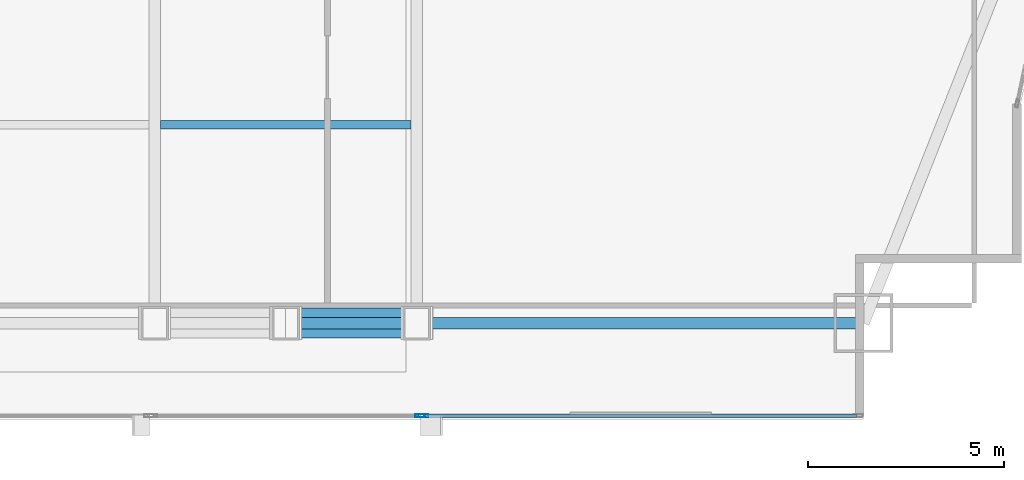
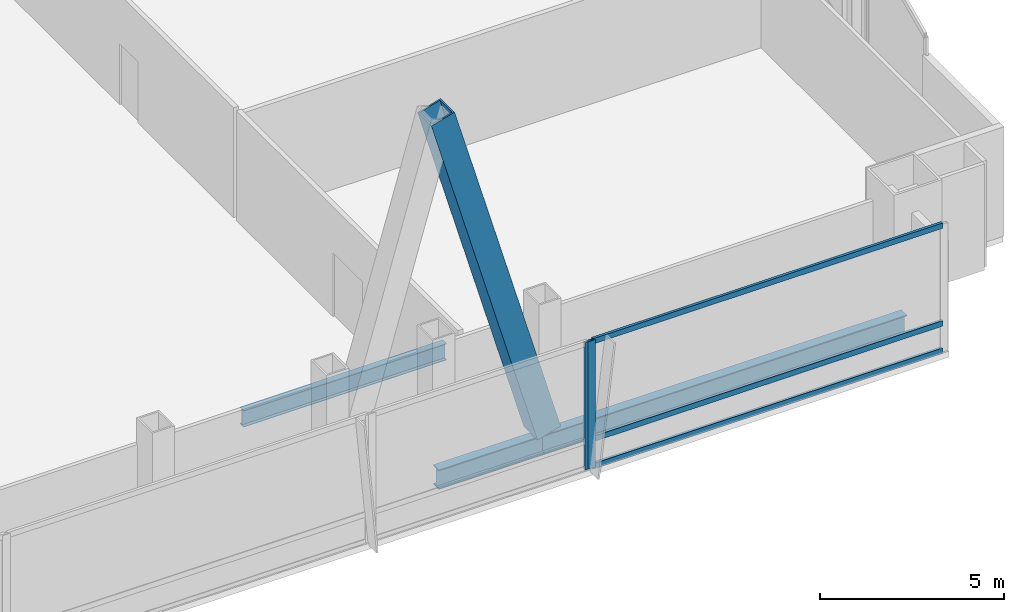
# One storey, part 16 of 32: 6 members, 3 beams, 2 elements without a shape of their own.
"""IFC4 building model written with IfcOpenShell, lengths in metres."""

from ifc_helpers import new_model, si_unit, direction, frame, origin, origin_2d, place, context, subcontext, project, spatial, hollow_rectangle, i_section, extrude, material, material_profile, profile_set, type_object, element, aggregate, save


model = new_model("IFC4")

# Units and contexts
model_context = context("Model", 3, precision=1e-05, world=origin(), true_north=direction((0.0, 1.0)))
body_context = subcontext(model_context, "Body", "Model", "MODEL_VIEW")
ifc_project = project(units=[si_unit("LENGTHUNIT", "METRE"), si_unit("AREAUNIT", "SQUARE_METRE"), si_unit("VOLUMEUNIT", "CUBIC_METRE"), si_unit("PLANEANGLEUNIT", "RADIAN"), si_unit("MASSUNIT", "GRAM", prefix="KILO")], contexts=[model_context])

# Site, building, storey
site_placement = place(None, origin())
site = spatial("IfcSite", under=ifc_project, at=site_placement, CompositionType="ELEMENT")
building_placement = place(site_placement, origin())
building = spatial("IfcBuilding", under=site, at=building_placement, Name="Khoronbel Lancet Exchange", CompositionType="ELEMENT")
storey_placement = place(building_placement, frame((0.0, 0.0, 106.60009765625)))
storey = spatial("IfcBuildingStorey", under=building, at=storey_placement, Name="L25", CompositionType="ELEMENT", Elevation=106.60009765625)

# Beams
ifc_material_1 = material(Name="Steel S355", Category="steel")
ifc_material_profile_1 = material_profile(ifc_material_1, i_section(OverallWidth=0.2099609375, OverallDepth=0.550048828125, WebThickness=0.010986328125, FlangeThickness=0.01708984375, at=origin_2d()), Name="IPE 550")
ifc_profile_set_1 = profile_set([ifc_material_profile_1], Name="Steel S355")
beam_type_1 = type_object("IfcBeamType", Name="BM-BJ2", PredefinedType="JOIST", material=ifc_profile_set_1)
beam_1_placement = place(storey_placement, frame((48.14990234375, 15.199951171875, -0.47509765625), z_axis=(1.0, 0.0, 0.0), x_axis=(0.0, 1.0, 0.0)))
element("IfcBeam", 1, at=beam_1_placement, inside=storey, type_object=beam_type_1, Name="Level L25 secondary composite joist J05", PredefinedType="JOIST", context=body_context, shape_type="SweptSolid", body=[
    extrude(i_section(OverallWidth=0.2099609375, OverallDepth=0.550048828125, WebThickness=0.010986328125, FlangeThickness=0.01708984375, at=origin_2d()), origin(), (0.0, 0.0, 1.0), 6.375),
])
ifc_material_profile_2 = material_profile(ifc_material_1, i_section(OverallWidth=0.300048828125, OverallDepth=0.64990234375, WebThickness=0.01611328125, FlangeThickness=0.031005859375, at=origin_2d()), Name="HEB 650")
ifc_profile_set_2 = profile_set([ifc_material_profile_2], Name="Steel S355")
beam_type_2 = type_object("IfcBeamType", Name="BM-BSP1", PredefinedType="SPANDREL", material=ifc_profile_set_2)
beam_2_placement = place(storey_placement, frame((51.33740234375, 10.14990234375, -0.525146484375), z_axis=(1.0, 0.0, 0.0), x_axis=(0.0, 1.0, 0.0)))
element("IfcBeam", 2, at=beam_2_placement, inside=storey, type_object=beam_type_2, Name="Level L25 perimeter spandrel beam SP08", PredefinedType="SPANDREL", context=body_context, shape_type="SweptSolid", body=[
    extrude(i_section(OverallWidth=0.300048828125, OverallDepth=0.64990234375, WebThickness=0.01611328125, FlangeThickness=0.031005859375, at=origin_2d()), origin(), (0.0, 0.0, 1.0), 3.337646484375),
])
beam_3_placement = place(storey_placement, frame((54.675048828125, 10.14990234375, -0.525146484375), z_axis=(1.0, 0.0, 0.0), x_axis=(0.0, 1.0, 0.0)))
element("IfcBeam", 3, at=beam_3_placement, inside=storey, type_object=beam_type_2, Name="Level L25 perimeter spandrel beam SP09", PredefinedType="SPANDREL", context=body_context, shape_type="SweptSolid", body=[
    extrude(i_section(OverallWidth=0.300048828125, OverallDepth=0.64990234375, WebThickness=0.01611328125, FlangeThickness=0.031005859375, at=origin_2d()), origin(), (0.0, 0.0, 1.0), 11.375),
])

# Curtain wall, member
ifc_material_2 = material(Name="Low-E Solar Control Insulating Glass", Category="glass")
curtain_wall_type = type_object("IfcCurtainWallType", Name="CW-2", PredefinedType="NOTDEFINED", material=ifc_material_2)
curtain_wall_1_placement = place(storey_placement, origin())
curtain_wall_1 = element("IfcCurtainWall", 4, at=curtain_wall_1_placement, inside=storey, type_object=curtain_wall_type, Name="Unitised curtain wall CW-L25-SEB", PredefinedType="NOTDEFINED")
ifc_material_3 = material(Name="Bronze-Anodised Aluminium 6063-T6", Category="aluminium")
ifc_material_profile_3 = material_profile(ifc_material_3, hollow_rectangle(XDim=0.0849609375, YDim=0.239990234375, WallThickness=0.006103515625, at=origin_2d()), Name="ALU MULLION 85x240")
ifc_profile_set_3 = profile_set([ifc_material_profile_3], Name="Bronze-Anodised Aluminium 6063-T6")
member_type_1 = type_object("IfcMemberType", Name="MEM-CWM1", PredefinedType="MULLION", material=ifc_profile_set_3)
member_1_placement = place(storey_placement, frame((54.757568359375, 7.7900390625, 0.0), z_axis=(0.0, 0.0, 1.0), x_axis=(0.0, 1.0, 0.0)))
member_1 = element("IfcMember", 5, at=member_1_placement, type_object=member_type_1, Name="CW2 mullion 2", PredefinedType="MULLION", context=body_context, shape_type="SweptSolid", body=[
    extrude(hollow_rectangle(XDim=0.0849609375, YDim=0.239990234375, WallThickness=0.006103515625, at=origin_2d()), origin(), (0.0, 0.0, 1.0), 4.239990234375),
])
aggregate(curtain_wall_1, [member_1])

# Curtain wall, members
curtain_wall_2_placement = place(storey_placement, origin())
curtain_wall_2 = element("IfcCurtainWall", 6, at=curtain_wall_2_placement, inside=storey, type_object=curtain_wall_type, Name="Unitised curtain wall CW-L25-SEV", PredefinedType="NOTDEFINED")
member_2_placement = place(storey_placement, frame((54.842529296875, 7.7900390625, 0.0), z_axis=(0.0, 0.0, 1.0), x_axis=(0.0, 1.0, 0.0)))
member_2 = element("IfcMember", 7, at=member_2_placement, type_object=member_type_1, Name="CW2 mullion 1", PredefinedType="MULLION", context=body_context, shape_type="SweptSolid", body=[
    extrude(hollow_rectangle(XDim=0.0849609375, YDim=0.239990234375, WallThickness=0.006103515625, at=origin_2d()), origin(), (0.0, 0.0, 1.0), 4.239990234375),
])
ifc_material_profile_4 = material_profile(ifc_material_3, hollow_rectangle(XDim=0.0849609375, YDim=0.179931640625, WallThickness=0.0048828125, at=origin_2d()), Name="ALU TRANSOM 85x180")
ifc_profile_set_4 = profile_set([ifc_material_profile_4], Name="Bronze-Anodised Aluminium 6063-T6")
member_type_2 = type_object("IfcMemberType", Name="MEM-CWT1", PredefinedType="USERDEFINED", material=ifc_profile_set_4)
member_3_placement = place(storey_placement, frame((54.885009765625, 7.7900390625, 0.04248046875), z_axis=(1.0, 0.0, 0.0), x_axis=(0.0, 1.0, 0.0)))
member_3 = element("IfcMember", 8, at=member_3_placement, type_object=member_type_2, Name="CW2 transom 1.1", ObjectType="TRANSOM", PredefinedType="USERDEFINED", context=body_context, shape_type="SweptSolid", body=[
    extrude(hollow_rectangle(XDim=0.0849609375, YDim=0.179931640625, WallThickness=0.0048828125, at=origin_2d()), origin(), (0.0, 0.0, 1.0), 10.989990234375),
])
member_4_placement = place(storey_placement, frame((54.885009765625, 7.7900390625, 0.949951171875), z_axis=(1.0, 0.0, 0.0), x_axis=(0.0, 1.0, 0.0)))
member_4 = element("IfcMember", 9, at=member_4_placement, type_object=member_type_2, Name="CW2 transom 1.2", ObjectType="TRANSOM", PredefinedType="USERDEFINED", context=body_context, shape_type="SweptSolid", body=[
    extrude(hollow_rectangle(XDim=0.0849609375, YDim=0.179931640625, WallThickness=0.0048828125, at=origin_2d()), origin(), (0.0, 0.0, 1.0), 10.989990234375),
])
member_5_placement = place(storey_placement, frame((54.885009765625, 7.7900390625, 4.197509765625), z_axis=(1.0, 0.0, 0.0), x_axis=(0.0, 1.0, 0.0)))
member_5 = element("IfcMember", 10, at=member_5_placement, type_object=member_type_2, Name="CW2 transom 1.3", ObjectType="TRANSOM", PredefinedType="USERDEFINED", context=body_context, shape_type="SweptSolid", body=[
    extrude(hollow_rectangle(XDim=0.0849609375, YDim=0.179931640625, WallThickness=0.0048828125, at=origin_2d()), origin(), (0.0, 0.0, 1.0), 10.989990234375),
])
aggregate(curtain_wall_2, [member_2, member_3, member_4, member_5])

# Member
ifc_material_4 = material(Name="Steel S460", Category="steel")
ifc_material_profile_5 = material_profile(ifc_material_4, hollow_rectangle(XDim=0.760009765625, YDim=0.760009765625, WallThickness=0.054931640625, at=origin_2d()), Name="BOX 760x760x55")
ifc_profile_set_5 = profile_set([ifc_material_profile_5], Name="Steel S460")
member_type_3 = type_object("IfcMemberType", Name="MEM-MB1", PredefinedType="BRACE", material=ifc_profile_set_5)
member_6_placement = place(storey_placement, frame((54.675048828125, 10.14990234375, 0.0), z_axis=(-0.276513154812, 0.0, 0.961010132733), x_axis=(0.0, -1.0, 0.0)))
element("IfcMember", 11, at=member_6_placement, inside=storey, type_object=member_type_3, Name="Perimeter lancet brace tier 8 S-E-R", PredefinedType="BRACE", context=body_context, shape_type="SweptSolid", body=[
    extrude(hollow_rectangle(XDim=0.760009765625, YDim=0.760009765625, WallThickness=0.054931640625, at=origin_2d()), origin(), (0.0, 0.0, 1.0), 12.070556640625),
])

save(model, "model.ifc")
